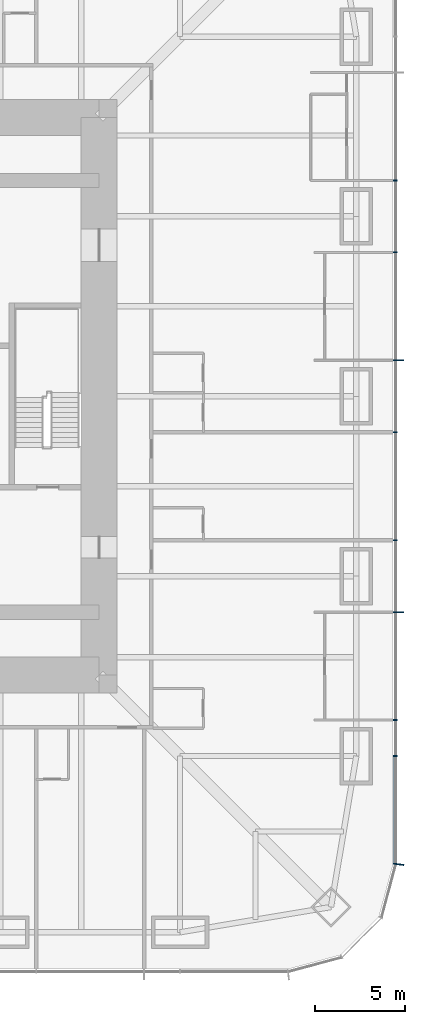
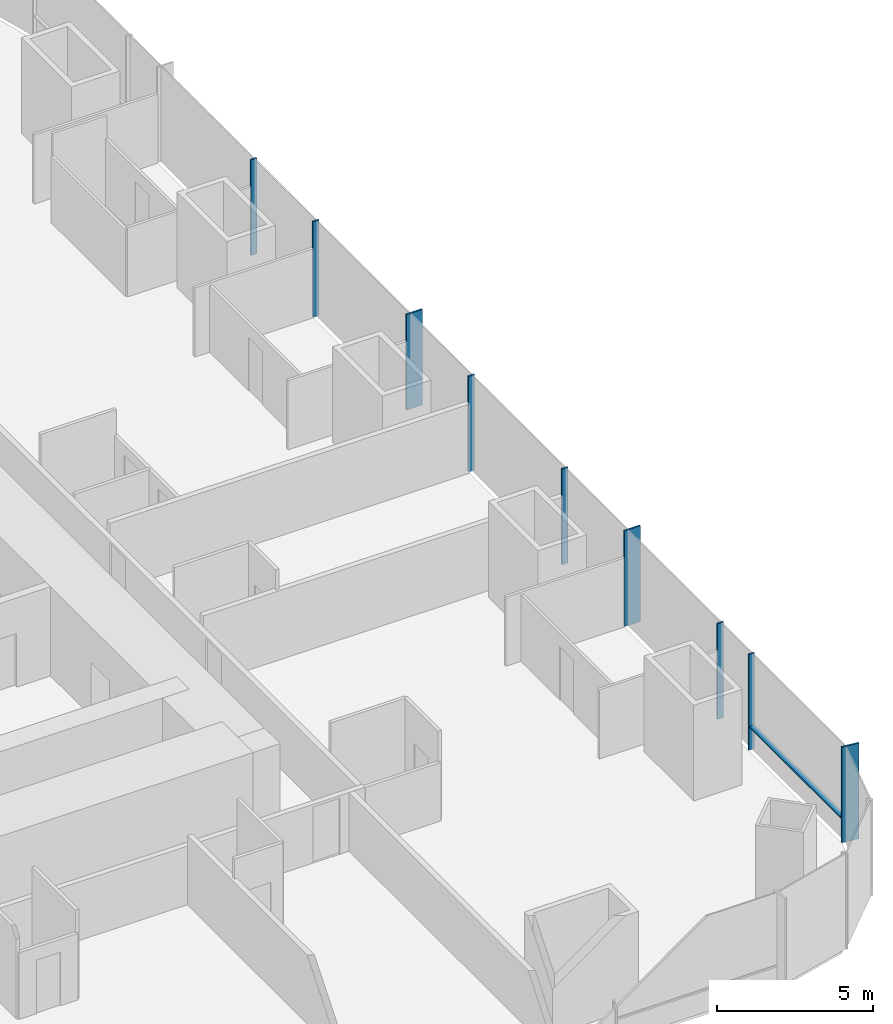
# One storey, part 9 of 20: 10 members, 1 element without a shape of its own.
"""IFC4 building model written with IfcOpenShell, lengths in metres."""

from ifc_helpers import new_model, si_unit, direction, frame, origin, origin_2d, place, context, subcontext, project, spatial, rectangle, extrude, material, material_profile, profile_set, type_object, element, aggregate, save


model = new_model("IFC4")

# Units and contexts
model_context = context("Model", 3, precision=1e-05, world=origin(), true_north=direction((0.0, 1.0)))
body_context = subcontext(model_context, "Body", "Model", "MODEL_VIEW")
ifc_project = project(units=[si_unit("LENGTHUNIT", "METRE"), si_unit("AREAUNIT", "SQUARE_METRE"), si_unit("VOLUMEUNIT", "CUBIC_METRE"), si_unit("PLANEANGLEUNIT", "RADIAN"), si_unit("MASSUNIT", "GRAM", prefix="KILO")], contexts=[model_context])

# Site, building, storey
site_placement = place(None, origin())
site = spatial("IfcSite", under=ifc_project, at=site_placement, CompositionType="ELEMENT")
building_placement = place(site_placement, origin())
building = spatial("IfcBuilding", under=site, at=building_placement, Name="Khuree Lantern Residences", CompositionType="ELEMENT")
storey_placement = place(building_placement, frame((0.0, 0.0, 28.5)))
storey = spatial("IfcBuildingStorey", under=building, at=storey_placement, Name="L06", CompositionType="ELEMENT", Elevation=28.5)

# Curtain wall, members
ifc_material = material(Name="Bronze anodised aluminium", Category="aluminium")
curtain_wall_type = type_object("IfcCurtainWallType", Name="CW-T1 TOWER FACE CURTAIN WALL", PredefinedType="USERDEFINED", material=ifc_material)
curtain_wall_placement = place(storey_placement, origin())
curtain_wall = element("IfcCurtainWall", 1, at=curtain_wall_placement, inside=storey, type_object=curtain_wall_type, Name="L06 EAST FACE CURTAIN WALL", ObjectType="Stick-built curtain wall", PredefinedType="USERDEFINED")
ifc_material_profile_1 = material_profile(ifc_material, rectangle(XDim=0.06494140625, YDim=0.60009765625, at=origin_2d()), Name="F1 65X600")
ifc_profile_set_1 = profile_set([ifc_material_profile_1], Name="Bronze anodised aluminium")
member_type_1 = type_object("IfcMemberType", Name="F1 BRONZE FIN MULLION TOWER 65X600", PredefinedType="MULLION", material=ifc_profile_set_1)
member_1_placement = place(storey_placement, frame((32.150146484375, -26.019775390625, 0.0), z_axis=(0.0, 0.0, 1.0), x_axis=(0.130526257387, 0.991444852794, 0.0)))
member_1 = element("IfcMember", 2, at=member_1_placement, type_object=member_type_1, Name="L06 EAST FACE FIN MULLION 4", PredefinedType="MULLION", context=body_context, shape_type="SweptSolid", body=[
    extrude(rectangle(XDim=0.06494140625, YDim=0.60009765625, at=origin_2d()), origin(), (0.0, 0.0, 1.0), 3.75),
])
member_2_placement = place(storey_placement, frame((32.14990234375, -12.0, 0.0), z_axis=(0.0, 0.0, 1.0), x_axis=(0.0, 1.0, 0.0)))
member_2 = element("IfcMember", 3, at=member_2_placement, type_object=member_type_1, Name="L06 EAST FACE FIN MULLION 7", PredefinedType="MULLION", context=body_context, shape_type="SweptSolid", body=[
    extrude(rectangle(XDim=0.06494140625, YDim=0.60009765625, at=origin_2d()), origin(), (0.0, 0.0, 1.0), 3.75),
])
member_3_placement = place(storey_placement, frame((32.14990234375, 2.0, 0.0), z_axis=(0.0, 0.0, 1.0), x_axis=(0.0, 1.0, 0.0)))
member_3 = element("IfcMember", 4, at=member_3_placement, type_object=member_type_1, Name="L06 EAST FACE FIN MULLION 10", PredefinedType="MULLION", context=body_context, shape_type="SweptSolid", body=[
    extrude(rectangle(XDim=0.06494140625, YDim=0.60009765625, at=origin_2d()), origin(), (0.0, 0.0, 1.0), 3.75),
])
ifc_material_profile_2 = material_profile(ifc_material, rectangle(XDim=0.06494140625, YDim=0.219970703125, at=origin_2d()), Name="M1 65X220")
ifc_profile_set_2 = profile_set([ifc_material_profile_2], Name="Bronze anodised aluminium")
member_type_2 = type_object("IfcMemberType", Name="M1 BRONZE MULLION TOWER 65X220", PredefinedType="MULLION", material=ifc_profile_set_2)
member_4_placement = place(storey_placement, frame((31.9599609375, -20.0, 0.0), z_axis=(0.0, 0.0, 1.0), x_axis=(0.0, 1.0, 0.0)))
member_4 = element("IfcMember", 5, at=member_4_placement, type_object=member_type_2, Name="L06 EAST FACE MULLION 5", PredefinedType="MULLION", context=body_context, shape_type="SweptSolid", body=[
    extrude(rectangle(XDim=0.06494140625, YDim=0.219970703125, at=origin_2d()), origin(), (0.0, 0.0, 1.0), 3.75),
])
member_5_placement = place(storey_placement, frame((31.9599609375, -18.0, 0.0), z_axis=(0.0, 0.0, 1.0), x_axis=(0.0, 1.0, 0.0)))
member_5 = element("IfcMember", 6, at=member_5_placement, type_object=member_type_2, Name="L06 EAST FACE MULLION 6", PredefinedType="MULLION", context=body_context, shape_type="SweptSolid", body=[
    extrude(rectangle(XDim=0.06494140625, YDim=0.219970703125, at=origin_2d()), origin(), (0.0, 0.0, 1.0), 3.75),
])
member_6_placement = place(storey_placement, frame((31.9599609375, -8.0, 0.0), z_axis=(0.0, 0.0, 1.0), x_axis=(0.0, 1.0, 0.0)))
member_6 = element("IfcMember", 7, at=member_6_placement, type_object=member_type_2, Name="L06 EAST FACE MULLION 8", PredefinedType="MULLION", context=body_context, shape_type="SweptSolid", body=[
    extrude(rectangle(XDim=0.06494140625, YDim=0.219970703125, at=origin_2d()), origin(), (0.0, 0.0, 1.0), 3.75),
])
member_7_placement = place(storey_placement, frame((31.9599609375, -2.0, 0.0), z_axis=(0.0, 0.0, 1.0), x_axis=(0.0, 1.0, 0.0)))
member_7 = element("IfcMember", 8, at=member_7_placement, type_object=member_type_2, Name="L06 EAST FACE MULLION 9", PredefinedType="MULLION", context=body_context, shape_type="SweptSolid", body=[
    extrude(rectangle(XDim=0.06494140625, YDim=0.219970703125, at=origin_2d()), origin(), (0.0, 0.0, 1.0), 3.75),
])
member_8_placement = place(storey_placement, frame((31.9599609375, 8.0, 0.0), z_axis=(0.0, 0.0, 1.0), x_axis=(0.0, 1.0, 0.0)))
member_8 = element("IfcMember", 9, at=member_8_placement, type_object=member_type_2, Name="L06 EAST FACE MULLION 11", PredefinedType="MULLION", context=body_context, shape_type="SweptSolid", body=[
    extrude(rectangle(XDim=0.06494140625, YDim=0.219970703125, at=origin_2d()), origin(), (0.0, 0.0, 1.0), 3.75),
])
member_9_placement = place(storey_placement, frame((31.9599609375, 12.0, 0.0), z_axis=(0.0, 0.0, 1.0), x_axis=(0.0, 1.0, 0.0)))
member_9 = element("IfcMember", 10, at=member_9_placement, type_object=member_type_2, Name="L06 EAST FACE MULLION 12", PredefinedType="MULLION", context=body_context, shape_type="SweptSolid", body=[
    extrude(rectangle(XDim=0.06494140625, YDim=0.219970703125, at=origin_2d()), origin(), (0.0, 0.0, 1.0), 3.75),
])
ifc_material_profile_3 = material_profile(ifc_material, rectangle(XDim=0.179931640625, YDim=0.06494140625, at=origin_2d()), Name="T1 180X65")
ifc_profile_set_3 = profile_set([ifc_material_profile_3], Name="Bronze anodised aluminium")
member_type_3 = type_object("IfcMemberType", Name="TRANSOM T1 TOWER 180X65", PredefinedType="USERDEFINED", material=ifc_profile_set_3)
member_10_placement = place(storey_placement, frame((31.969970703125, -25.951416015625, 0.89990234375), z_axis=(0.0, 1.0, 0.0), x_axis=(-1.0, 0.0, 0.0)))
member_10 = element("IfcMember", 11, at=member_10_placement, type_object=member_type_3, Name="L06 EAST FACE TRANSOM 4.1", ObjectType="Transom", PredefinedType="USERDEFINED", context=body_context, shape_type="SweptSolid", body=[
    extrude(rectangle(XDim=0.179931640625, YDim=0.06494140625, at=origin_2d()), origin(), (0.0, 0.0, 1.0), 5.9189453125),
])
aggregate(curtain_wall, [member_1, member_4, member_5, member_2, member_6, member_7, member_3, member_8, member_9, member_10])

save(model, "model.ifc")
